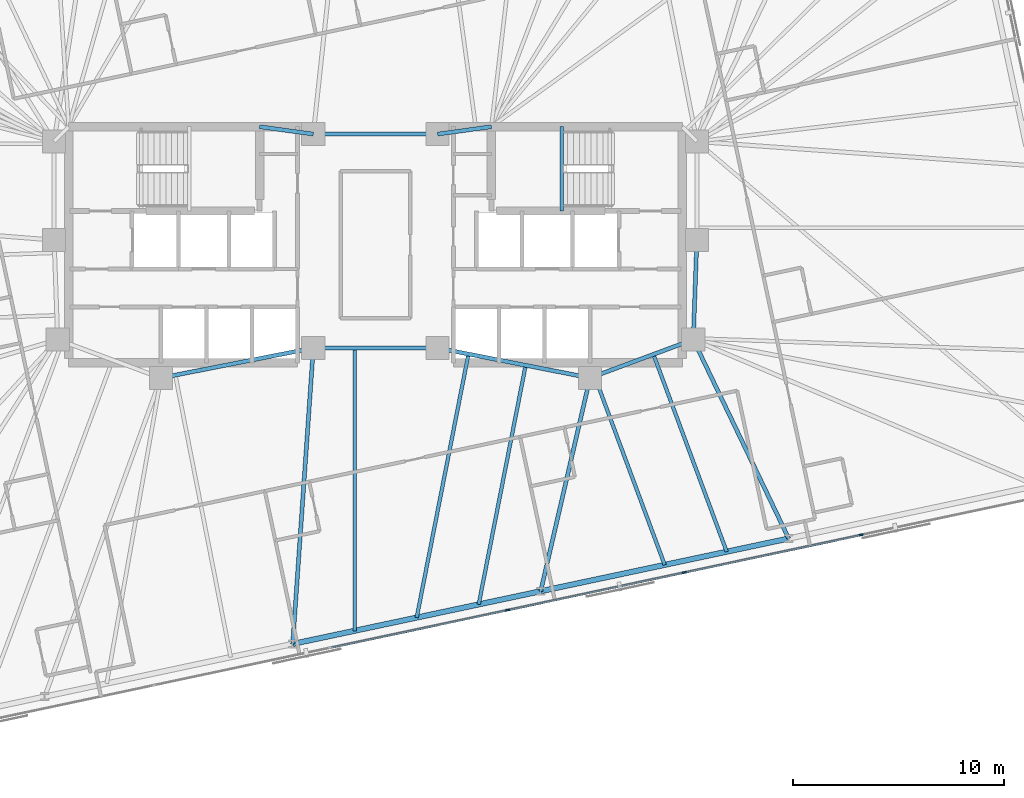
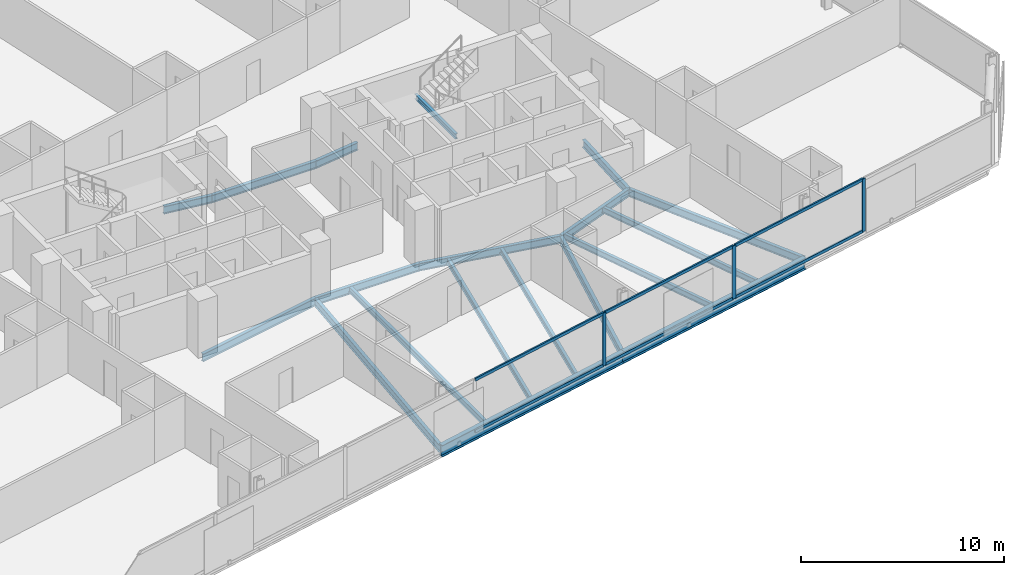
# One storey, part 7 of 19: 19 beams, 9 members, 1 element without a shape of its own.
"""IFC4 building model written with IfcOpenShell, lengths in metres."""

from ifc_helpers import new_model, si_unit, direction, frame, origin, origin_2d, place, context, subcontext, project, spatial, rectangle, i_section, extrude, material, material_profile, profile_set, type_object, element, aggregate, save


model = new_model("IFC4")

# Units and contexts
model_context = context("Model", 3, precision=1e-05, world=origin(), true_north=direction((0.0, 1.0)))
body_context = subcontext(model_context, "Body", "Model", "MODEL_VIEW")
ifc_project = project(units=[si_unit("LENGTHUNIT", "METRE"), si_unit("AREAUNIT", "SQUARE_METRE"), si_unit("VOLUMEUNIT", "CUBIC_METRE"), si_unit("PLANEANGLEUNIT", "RADIAN"), si_unit("MASSUNIT", "GRAM", prefix="KILO")], contexts=[model_context])

# Site, building, storey
site_placement = place(None, origin())
site = spatial("IfcSite", under=ifc_project, at=site_placement, CompositionType="ELEMENT")
building_placement = place(site_placement, origin())
building = spatial("IfcBuilding", under=site, at=building_placement, Name="Menara Jurai Vektor", CompositionType="ELEMENT")
storey_placement = place(building_placement, frame((0.0, 0.0, 182.0)))
storey = spatial("IfcBuildingStorey", under=building, at=storey_placement, Name="L47", CompositionType="ELEMENT", Elevation=182.0)

# Curtain wall, members
ifc_material_1 = material(Name="Anodised Pale Aluminium & Low-E Double Glazing", Category="aluminium")
curtain_wall_type = type_object("IfcCurtainWallType", Name="CW-BLK3", PredefinedType="NOTDEFINED", material=ifc_material_1)
curtain_wall_placement = place(storey_placement, origin())
curtain_wall = element("IfcCurtainWall", 1, at=curtain_wall_placement, inside=storey, type_object=curtain_wall_type, Name="Unitised Curtain Wall L47 F01", PredefinedType="NOTDEFINED")
ifc_material_2 = material(Name="Anodised Pale Aluminium Mullion", Category="aluminium")
ifc_material_profile_1 = material_profile(ifc_material_2, rectangle(XDim=0.0849609375, YDim=0.205078125, at=origin_2d()), Name="ALU MUL 85x205")
ifc_profile_set_1 = profile_set([ifc_material_profile_1], Name="Anodised Pale Aluminium Mullion")
member_type_1 = type_object("IfcMemberType", Name="CW-BLK3-MUL", PredefinedType="MULLION", material=ifc_profile_set_1)
member_1_placement = place(storey_placement, frame((6.264892578125, -17.338623046875, 0.0), z_axis=(0.0, 0.0, 1.0), x_axis=(-0.207911344156, 0.978147674419, 0.0)))
member_1 = element("IfcMember", 2, at=member_1_placement, type_object=member_type_1, Name="CW-03 mullion 5", PredefinedType="MULLION", context=body_context, shape_type="SweptSolid", body=[
    extrude(rectangle(XDim=0.0849609375, YDim=0.205078125, at=origin_2d()), origin(), (0.0, 0.0, 1.0), 3.175048828125),
])
member_2_placement = place(storey_placement, frame((14.65478515625, -15.55517578125, 0.0), z_axis=(0.0, 0.0, 1.0), x_axis=(-0.207911344156, 0.978147674419, 0.0)))
member_2 = element("IfcMember", 3, at=member_2_placement, type_object=member_type_1, Name="CW-03 mullion 6", PredefinedType="MULLION", context=body_context, shape_type="SweptSolid", body=[
    extrude(rectangle(XDim=0.0849609375, YDim=0.205078125, at=origin_2d()), origin(), (0.0, 0.0, 1.0), 3.175048828125),
])
member_3_placement = place(storey_placement, frame((23.04443359375, -13.77197265625, 0.0), z_axis=(0.0, 0.0, 1.0), x_axis=(-0.207911344156, 0.978147674419, 0.0)))
member_3 = element("IfcMember", 4, at=member_3_placement, type_object=member_type_1, Name="CW-03 mullion 7", PredefinedType="MULLION", context=body_context, shape_type="SweptSolid", body=[
    extrude(rectangle(XDim=0.0849609375, YDim=0.205078125, at=origin_2d()), origin(), (0.0, 0.0, 1.0), 3.175048828125),
])
ifc_material_3 = material(Name="Anodised Pale Aluminium Transom", Category="aluminium")
ifc_material_profile_2 = material_profile(ifc_material_3, rectangle(XDim=0.0849609375, YDim=0.175048828125, at=origin_2d()), Name="ALU TRN 85x175")
ifc_profile_set_2 = profile_set([ifc_material_profile_2], Name="Anodised Pale Aluminium Transom")
member_type_2 = type_object("IfcMemberType", Name="CW-BLK3-TRN", PredefinedType="USERDEFINED", material=ifc_profile_set_2)
member_4_placement = place(storey_placement, frame((-2.083251953125, -19.113037109375, 0.04248046875), z_axis=(0.978147743708, 0.207911018178, 0.0), x_axis=(-0.207911018178, 0.978147743708, 0.0)))
member_4 = element("IfcMember", 5, at=member_4_placement, type_object=member_type_2, Name="CW-03 transom 4.1", ObjectType="TRANSOM", PredefinedType="USERDEFINED", context=body_context, shape_type="SweptSolid", body=[
    extrude(rectangle(XDim=0.0849609375, YDim=0.175048828125, at=origin_2d()), origin(), (0.0, 0.0, 1.0), 8.4921875),
])
member_5_placement = place(storey_placement, frame((-2.083251953125, -19.113037109375, 3.132568359375), z_axis=(0.978147743708, 0.207911018178, 0.0), x_axis=(-0.207911018178, 0.978147743708, 0.0)))
member_5 = element("IfcMember", 6, at=member_5_placement, type_object=member_type_2, Name="CW-03 transom 4.2", ObjectType="TRANSOM", PredefinedType="USERDEFINED", context=body_context, shape_type="SweptSolid", body=[
    extrude(rectangle(XDim=0.0849609375, YDim=0.175048828125, at=origin_2d()), origin(), (0.0, 0.0, 1.0), 8.4921875),
])
member_6_placement = place(storey_placement, frame((6.306640625, -17.329833984375, 0.04248046875), z_axis=(0.978146500933, 0.207916864907, 0.0), x_axis=(-0.207916864907, 0.978146500933, 0.0)))
member_6 = element("IfcMember", 7, at=member_6_placement, type_object=member_type_2, Name="CW-03 transom 5.1", ObjectType="TRANSOM", PredefinedType="USERDEFINED", context=body_context, shape_type="SweptSolid", body=[
    extrude(rectangle(XDim=0.0849609375, YDim=0.175048828125, at=origin_2d()), origin(), (0.0, 0.0, 1.0), 8.491943359375),
])
member_7_placement = place(storey_placement, frame((6.306640625, -17.329833984375, 3.132568359375), z_axis=(0.978146500933, 0.207916864907, 0.0), x_axis=(-0.207916864907, 0.978146500933, 0.0)))
member_7 = element("IfcMember", 8, at=member_7_placement, type_object=member_type_2, Name="CW-03 transom 5.2", ObjectType="TRANSOM", PredefinedType="USERDEFINED", context=body_context, shape_type="SweptSolid", body=[
    extrude(rectangle(XDim=0.0849609375, YDim=0.175048828125, at=origin_2d()), origin(), (0.0, 0.0, 1.0), 8.491943359375),
])
member_8_placement = place(storey_placement, frame((14.6962890625, -15.54638671875, 0.04248046875), z_axis=(0.978147743708, 0.207911018178, 0.0), x_axis=(-0.207911018178, 0.978147743708, 0.0)))
member_8 = element("IfcMember", 9, at=member_8_placement, type_object=member_type_2, Name="CW-03 transom 6.1", ObjectType="TRANSOM", PredefinedType="USERDEFINED", context=body_context, shape_type="SweptSolid", body=[
    extrude(rectangle(XDim=0.0849609375, YDim=0.175048828125, at=origin_2d()), origin(), (0.0, 0.0, 1.0), 8.4921875),
])
member_9_placement = place(storey_placement, frame((14.6962890625, -15.54638671875, 3.132568359375), z_axis=(0.978147743708, 0.207911018178, 0.0), x_axis=(-0.207911018178, 0.978147743708, 0.0)))
member_9 = element("IfcMember", 10, at=member_9_placement, type_object=member_type_2, Name="CW-03 transom 6.2", ObjectType="TRANSOM", PredefinedType="USERDEFINED", context=body_context, shape_type="SweptSolid", body=[
    extrude(rectangle(XDim=0.0849609375, YDim=0.175048828125, at=origin_2d()), origin(), (0.0, 0.0, 1.0), 8.4921875),
])
aggregate(curtain_wall, [member_1, member_2, member_3, member_4, member_5, member_6, member_7, member_8, member_9])

# Beams
ifc_material_4 = material(Name="Steel S355", Category="steel")
ifc_material_profile_3 = material_profile(ifc_material_4, i_section(OverallWidth=0.19091796875, OverallDepth=0.4599609375, WebThickness=0.010009765625, FlangeThickness=0.01611328125, FilletRadius=0.010009765625, at=origin_2d()), Name="UKB 457x191x82")
ifc_profile_set_3 = profile_set([ifc_material_profile_3], Name="Steel S355")
beam_type_1 = type_object("IfcBeamType", Name="STR-BM-457", PredefinedType="BEAM", material=ifc_profile_set_3)
beam_1_placement = place(storey_placement, frame((-5.5, 5.60009765625, -0.455078125), z_axis=(0.990706818608, -0.136014703483, 0.0), x_axis=(0.136014703483, 0.990706818608, 0.0)))
element("IfcBeam", 11, at=beam_1_placement, inside=storey, type_object=beam_type_1, Name="Core Ring Header Girder L47-CHW-N2", PredefinedType="BEAM", context=body_context, shape_type="SweptSolid", body=[
    extrude(i_section(OverallWidth=0.19091796875, OverallDepth=0.4599609375, WebThickness=0.010009765625, FlangeThickness=0.01611328125, FilletRadius=0.010009765625, at=origin_2d()), origin(), (0.0, 0.0, 1.0), 2.573974609375),
])
beam_2_placement = place(storey_placement, frame((-10.179931640625, -6.320068359375, -0.455078125), z_axis=(0.981249044334, 0.192744164614, 0.0), x_axis=(-0.192744164614, 0.981249044334, 0.0)))
element("IfcBeam", 12, at=beam_2_placement, inside=storey, type_object=beam_type_1, Name="Core Ring Header Girder L47-CHW-S2", PredefinedType="BEAM", context=body_context, shape_type="SweptSolid", body=[
    extrude(i_section(OverallWidth=0.19091796875, OverallDepth=0.4599609375, WebThickness=0.010009765625, FlangeThickness=0.01611328125, FilletRadius=0.010009765625, at=origin_2d()), origin(), (0.0, 0.0, 1.0), 7.3681640625),
])
beam_3_placement = place(storey_placement, frame((2.949951171875, 5.25, -0.455078125), z_axis=(0.990706818608, 0.136014703483, 0.0), x_axis=(-0.136014703483, 0.990706818608, 0.0)))
element("IfcBeam", 13, at=beam_3_placement, inside=storey, type_object=beam_type_1, Name="Core Ring Header Girder L47-CHE-N1", PredefinedType="BEAM", context=body_context, shape_type="SweptSolid", body=[
    extrude(i_section(OverallWidth=0.19091796875, OverallDepth=0.4599609375, WebThickness=0.010009765625, FlangeThickness=0.01611328125, FilletRadius=0.010009765625, at=origin_2d()), origin(), (0.0, 0.0, 1.0), 2.573974609375),
])
beam_4_placement = place(storey_placement, frame((15.080078125, -4.5, -0.455078125), z_axis=(0.035977314146, 0.999352606874, 0.0), x_axis=(-0.999352606874, 0.035977314146, 0.0)))
element("IfcBeam", 14, at=beam_4_placement, inside=storey, type_object=beam_type_1, Name="Core Ring Header Girder L47-CHE-E2", PredefinedType="BEAM", context=body_context, shape_type="SweptSolid", body=[
    extrude(i_section(OverallWidth=0.19091796875, OverallDepth=0.4599609375, WebThickness=0.010009765625, FlangeThickness=0.01611328125, FilletRadius=0.010009765625, at=origin_2d()), origin(), (0.0, 0.0, 1.0), 4.72314453125),
])
beam_5_placement = place(storey_placement, frame((10.179931640625, -6.320068359375, -0.455078125), z_axis=(0.937424400887, 0.348188874925, 0.0), x_axis=(-0.348188874925, 0.937424400887, 0.0)))
element("IfcBeam", 15, at=beam_5_placement, inside=storey, type_object=beam_type_1, Name="Core Ring Header Girder L47-CHE-S1", PredefinedType="BEAM", context=body_context, shape_type="SweptSolid", body=[
    extrude(i_section(OverallWidth=0.19091796875, OverallDepth=0.4599609375, WebThickness=0.010009765625, FlangeThickness=0.01611328125, FilletRadius=0.010009765625, at=origin_2d()), origin(), (0.0, 0.0, 1.0), 5.227294921875),
])
beam_6_placement = place(storey_placement, frame((2.949951171875, -4.89990234375, -0.455078125), z_axis=(0.981249044334, -0.192744164614, 0.0), x_axis=(0.192744164614, 0.981249044334, 0.0)))
element("IfcBeam", 16, at=beam_6_placement, inside=storey, type_object=beam_type_1, Name="Core Ring Header Girder L47-CHE-S2", PredefinedType="BEAM", context=body_context, shape_type="SweptSolid", body=[
    extrude(i_section(OverallWidth=0.19091796875, OverallDepth=0.4599609375, WebThickness=0.010009765625, FlangeThickness=0.01611328125, FilletRadius=0.010009765625, at=origin_2d()), origin(), (0.0, 0.0, 1.0), 7.3681640625),
])
for number, where, z_axis, x_axis, name in (
    (17, (-2.949951171875, -4.89990234375, -0.455078125), (1.0, 0.0, 0.0), (0.0, 1.0, 0.0), "Core Ring Header Girder L47-CC-1"),
    (18, (-2.949951171875, 5.25, -0.455078125), (1.0, 0.0, 0.0), (0.0, 1.0, 0.0), "Core Ring Header Girder L47-CC-2"),
):
    element("IfcBeam", number, at=place(storey_placement, frame(where, z_axis=z_axis, x_axis=x_axis)), inside=storey, type_object=beam_type_1, Name=name, PredefinedType="BEAM", context=body_context, shape_type="SweptSolid", body=[
        extrude(i_section(OverallWidth=0.19091796875, OverallDepth=0.4599609375, WebThickness=0.010009765625, FlangeThickness=0.01611328125, FilletRadius=0.010009765625, at=origin_2d()), origin(), (0.0, 0.0, 1.0), 5.89990234375),
    ])
beam_7_placement = place(storey_placement, frame((-3.928466796875, -18.94287109375, -0.455078125), z_axis=(0.06951156523, 0.997581145722, 0.0), x_axis=(-0.997581145722, 0.06951156523, 0.0)))
element("IfcBeam", 19, at=beam_7_placement, inside=storey, type_object=beam_type_1, Name="Radial Floor Girder L47-S3", PredefinedType="BEAM", context=body_context, shape_type="SweptSolid", body=[
    extrude(i_section(OverallWidth=0.19091796875, OverallDepth=0.4599609375, WebThickness=0.010009765625, FlangeThickness=0.01611328125, FilletRadius=0.010009765625, at=origin_2d()), origin(), (0.0, 0.0, 1.0), 14.076904296875),
])
beam_8_placement = place(storey_placement, frame((7.83984375, -16.44140625, -0.455078125), z_axis=(0.225261124248, 0.974298427538, 0.0), x_axis=(-0.974298427538, 0.225261124248, 0.0)))
element("IfcBeam", 20, at=beam_8_placement, inside=storey, type_object=beam_type_1, Name="Radial Floor Girder L47-S4", PredefinedType="BEAM", context=body_context, shape_type="SweptSolid", body=[
    extrude(i_section(OverallWidth=0.19091796875, OverallDepth=0.4599609375, WebThickness=0.010009765625, FlangeThickness=0.01611328125, FilletRadius=0.010009765625, at=origin_2d()), origin(), (0.0, 0.0, 1.0), 10.388427734375),
])
beam_9_placement = place(storey_placement, frame((19.608154296875, -13.940185546875, -0.455078125), z_axis=(-0.432481646932, 0.901642736935, 0.0), x_axis=(-0.901642736935, -0.432481646932, 0.0)))
element("IfcBeam", 21, at=beam_9_placement, inside=storey, type_object=beam_type_1, Name="Radial Floor Girder L47-S5", PredefinedType="BEAM", context=body_context, shape_type="SweptSolid", body=[
    extrude(i_section(OverallWidth=0.19091796875, OverallDepth=0.4599609375, WebThickness=0.010009765625, FlangeThickness=0.01611328125, FilletRadius=0.010009765625, at=origin_2d()), origin(), (0.0, 0.0, 1.0), 10.469970703125),
])
ifc_material_profile_4 = material_profile(ifc_material_4, i_section(OverallWidth=0.172119140625, OverallDepth=0.35498046875, WebThickness=0.007080078125, FlangeThickness=0.011962890625, FilletRadius=0.010009765625, at=origin_2d()), Name="UKB 356x171x51")
ifc_profile_set_4 = profile_set([ifc_material_profile_4], Name="Steel S355")
beam_type_2 = type_object("IfcBeamType", Name="STR-JS-356", PredefinedType="JOIST", material=ifc_profile_set_4)
beam_10_placement = place(storey_placement, frame((-0.986328125, -18.3173828125, -0.402587890625), z_axis=(0.0, 1.0, 0.0), x_axis=(-1.0, 0.0, 0.0)))
element("IfcBeam", 22, at=beam_10_placement, inside=storey, type_object=beam_type_2, Name="Radial Secondary Floor Joist L47-JS05", PredefinedType="JOIST", context=body_context, shape_type="SweptSolid", body=[
    extrude(i_section(OverallWidth=0.172119140625, OverallDepth=0.35498046875, WebThickness=0.007080078125, FlangeThickness=0.011962890625, FilletRadius=0.010009765625, at=origin_2d()), origin(), (0.0, 0.0, 1.0), 13.41748046875),
])
beam_11_placement = place(storey_placement, frame((1.955810546875, -17.692138671875, -0.402587890625), z_axis=(0.192721917664, 0.981253413982, 0.0), x_axis=(-0.981253413982, 0.192721917664, 0.0)))
element("IfcBeam", 23, at=beam_11_placement, inside=storey, type_object=beam_type_2, Name="Radial Secondary Floor Joist L47-JS06", PredefinedType="JOIST", context=body_context, shape_type="SweptSolid", body=[
    extrude(i_section(OverallWidth=0.172119140625, OverallDepth=0.35498046875, WebThickness=0.007080078125, FlangeThickness=0.011962890625, FilletRadius=0.010009765625, at=origin_2d()), origin(), (0.0, 0.0, 1.0), 12.744140625),
])
beam_12_placement = place(storey_placement, frame((4.897705078125, -17.06689453125, -0.402587890625), z_axis=(0.19272061905, 0.981253669034, 0.0), x_axis=(-0.981253669034, 0.19272061905, 0.0)))
element("IfcBeam", 24, at=beam_12_placement, inside=storey, type_object=beam_type_2, Name="Radial Secondary Floor Joist L47-JS07", PredefinedType="JOIST", context=body_context, shape_type="SweptSolid", body=[
    extrude(i_section(OverallWidth=0.172119140625, OverallDepth=0.35498046875, WebThickness=0.007080078125, FlangeThickness=0.011962890625, FilletRadius=0.010009765625, at=origin_2d()), origin(), (0.0, 0.0, 1.0), 11.5634765625),
])
beam_13_placement = place(storey_placement, frame((13.72412109375, -15.19091796875, -0.402587890625), z_axis=(-0.348196799641, 0.93742145736, 0.0), x_axis=(-0.93742145736, -0.348196799641, 0.0)))
element("IfcBeam", 25, at=beam_13_placement, inside=storey, type_object=beam_type_2, Name="Radial Secondary Floor Joist L47-JS08", PredefinedType="JOIST", context=body_context, shape_type="SweptSolid", body=[
    extrude(i_section(OverallWidth=0.172119140625, OverallDepth=0.35498046875, WebThickness=0.007080078125, FlangeThickness=0.011962890625, FilletRadius=0.010009765625, at=origin_2d()), origin(), (0.0, 0.0, 1.0), 9.5498046875),
])
beam_14_placement = place(storey_placement, frame((16.666015625, -14.5654296875, -0.402587890625), z_axis=(-0.348180392292, 0.93742755156, 0.0), x_axis=(-0.93742755156, -0.348180392292, 0.0)))
element("IfcBeam", 26, at=beam_14_placement, inside=storey, type_object=beam_type_2, Name="Radial Secondary Floor Joist L47-JS09", PredefinedType="JOIST", context=body_context, shape_type="SweptSolid", body=[
    extrude(i_section(OverallWidth=0.172119140625, OverallDepth=0.35498046875, WebThickness=0.007080078125, FlangeThickness=0.011962890625, FilletRadius=0.010009765625, at=origin_2d()), origin(), (0.0, 0.0, 1.0), 9.98779296875),
])
ifc_material_profile_5 = material_profile(ifc_material_4, i_section(OverallWidth=0.1650390625, OverallDepth=0.302978515625, WebThickness=0.006103515625, FlangeThickness=0.010009765625, FilletRadius=0.009033203125, at=origin_2d()), Name="UKB 305x165x40")
ifc_profile_set_5 = profile_set([ifc_material_profile_5], Name="Steel S355")
beam_type_3 = type_object("IfcBeamType", Name="STR-LN-305", PredefinedType="LINTEL", material=ifc_profile_set_5)
beam_15_placement = place(storey_placement, frame((8.830078125, 1.60009765625, 1.348388671875), z_axis=(0.0, 1.0, 0.0), x_axis=(-1.0, 0.0, 0.0)))
element("IfcBeam", 27, at=beam_15_placement, inside=storey, type_object=beam_type_3, Name="Stair Half-Landing Nosing Trimmer ST2-1 L47", PredefinedType="LINTEL", context=body_context, shape_type="SweptSolid", body=[
    extrude(i_section(OverallWidth=0.1650390625, OverallDepth=0.302978515625, WebThickness=0.006103515625, FlangeThickness=0.010009765625, FilletRadius=0.009033203125, at=origin_2d()), origin(), (0.0, 0.0, 1.0), 4.0),
])
ifc_material_5 = material(Name="Steel S460", Category="steel")
ifc_material_profile_6 = material_profile(ifc_material_5, i_section(OverallWidth=0.256103515625, OverallDepth=0.693115234375, WebThickness=0.013916015625, FlangeThickness=0.02392578125, FilletRadius=0.014892578125, at=origin_2d()), Name="UKB 686x254x170")
ifc_profile_set_6 = profile_set([ifc_material_profile_6], Name="Steel S460")
beam_type_4 = type_object("IfcBeamType", Name="STR-SP-686", PredefinedType="SPANDREL", material=ifc_profile_set_6)
for number, where, z_axis, x_axis, name in (
    (28, (-3.928466796875, -18.94287109375, -0.571533203125), (0.978147039247, 0.207914332389, 0.0), (-0.207914332389, 0.978147039247, 0.0), "Exoskeleton Spandrel Beam L47-03"),
    (29, (7.83984375, -16.44140625, -0.571533203125), (0.978151165921, 0.207894917222, 0.0), (-0.207894917222, 0.978151165921, 0.0), "Exoskeleton Spandrel Beam L47-04"),
):
    element("IfcBeam", number, at=place(storey_placement, frame(where, z_axis=z_axis, x_axis=x_axis)), inside=storey, type_object=beam_type_4, Name=name, PredefinedType="SPANDREL", context=body_context, shape_type="SweptSolid", body=[
        extrude(i_section(OverallWidth=0.256103515625, OverallDepth=0.693115234375, WebThickness=0.013916015625, FlangeThickness=0.02392578125, FilletRadius=0.014892578125, at=origin_2d()), origin(), (0.0, 0.0, 1.0), 12.03125),
    ])

save(model, "model.ifc")
